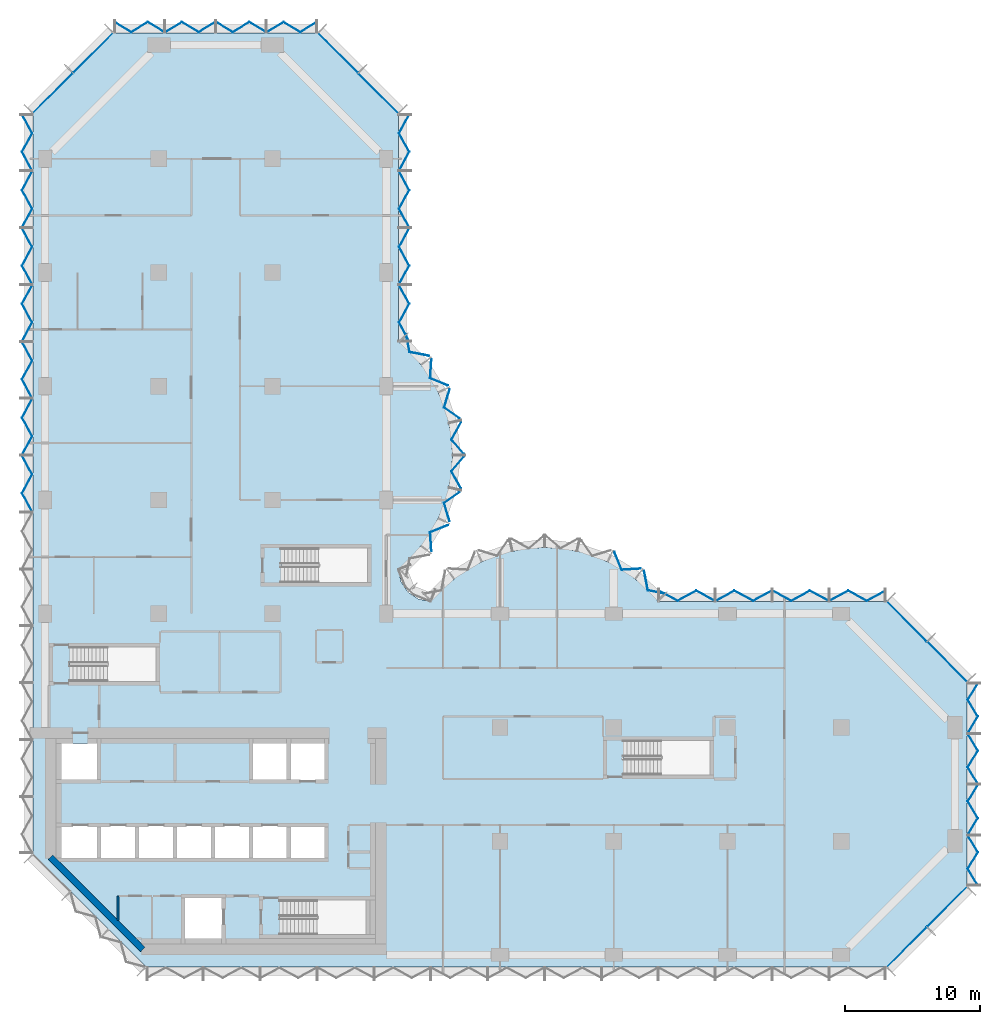
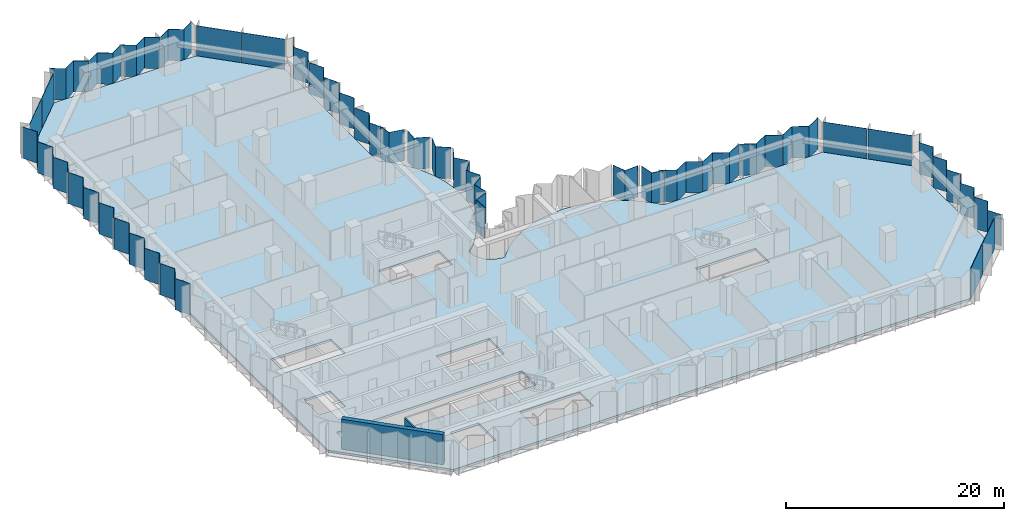
# One storey, part 6 of 13: 40 plates, 2 walls, 1 slab, 11 elements without a shape of their own.
"""IFC4 building model written with IfcOpenShell, lengths in metres."""

from ifc_helpers import new_model, si_unit, direction, frame, frame_2d, origin, place, context, subcontext, project, spatial, polyline, rectangle, outline, extrude, material, layer, layer_set, type_object, element, aggregate, save


model = new_model("IFC4")

# Units and contexts
model_context = context("Model", 3, precision=1e-05, world=origin(), true_north=direction((0.0, 1.0)))
body_context = subcontext(model_context, "Body", "Model", "MODEL_VIEW")
ifc_project = project(units=[si_unit("LENGTHUNIT", "METRE"), si_unit("AREAUNIT", "SQUARE_METRE"), si_unit("VOLUMEUNIT", "CUBIC_METRE"), si_unit("PLANEANGLEUNIT", "RADIAN"), si_unit("MASSUNIT", "GRAM", prefix="KILO")], contexts=[model_context])

# Site, building, storey
site_placement = place(None, origin())
site = spatial("IfcSite", under=ifc_project, at=site_placement, CompositionType="ELEMENT")
building_placement = place(site_placement, origin())
building = spatial("IfcBuilding", under=site, at=building_placement, Name="Brevane Broadcast Tower", CompositionType="ELEMENT")
storey_placement = place(building_placement, frame((0.0, 0.0, 116.89990234375)))
storey = spatial("IfcBuildingStorey", under=building, at=storey_placement, Name="L28", CompositionType="ELEMENT", Elevation=116.89990234375)

# Curtain wall, plates
ifc_material_1 = material(Name="Aluminium 6063-T6 bronze anodised", Category="aluminium")
curtain_wall_type = type_object("IfcCurtainWallType", Name="CW-1 curtain wall", PredefinedType="NOTDEFINED", material=ifc_material_1)
curtain_wall_1_placement = place(storey_placement, origin())
curtain_wall_1 = element("IfcCurtainWall", 1, at=curtain_wall_1_placement, inside=storey, type_object=curtain_wall_type, Name="CW-1 typical tilted unit L28 south-east chamfer", PredefinedType="NOTDEFINED")
ifc_material_2 = material(Name="Laminated glass bronze-tinted", Category="glass")
ifc_layer_1 = layer(ifc_material_2, 0.0400390625)
ifc_layer_set_1 = layer_set([ifc_layer_1], Name="CW tall glass panel 40")
plate_type = type_object("IfcPlateType", Name="CW tall glass panel 40", PredefinedType="CURTAIN_PANEL", material=ifc_layer_set_1)
plate_1_placement = place(storey_placement, frame((0.0, 0.0, -0.14990234375)))
plate_1 = element("IfcPlate", 2, at=plate_1_placement, type_object=plate_type, Name="CW-1 glass panel", PredefinedType="CURTAIN_PANEL", context=body_context, shape_type="SweptSolid", body=[
    extrude(outline(polyline([(62.14599609375, -0.896484375), (65.096435546875, 2.053955078125), (65.124755859375, 2.02587890625), (62.17431640625, -0.9248046875), (62.14599609375, -0.896484375)])), origin(), (0.0, 0.0, 1.0), 3.5),
])
plate_2_placement = place(storey_placement, frame((0.0, 0.0, -0.14990234375)))
plate_2 = element("IfcPlate", 3, at=plate_2_placement, type_object=plate_type, Name="CW-1 glass panel", PredefinedType="CURTAIN_PANEL", context=body_context, shape_type="SweptSolid", body=[
    extrude(outline(polyline([(65.14599609375, 2.103515625), (68.096435546875, 5.053955078125), (68.124755859375, 5.02587890625), (65.17431640625, 2.0751953125), (65.14599609375, 2.103515625)])), origin(), (0.0, 0.0, 1.0), 3.5),
])
aggregate(curtain_wall_1, [plate_1, plate_2])

curtain_wall_2_placement = place(storey_placement, origin())
curtain_wall_2 = element("IfcCurtainWall", 4, at=curtain_wall_2_placement, inside=storey, type_object=curtain_wall_type, Name="CW-1 typical tilted unit L28 east end", PredefinedType="NOTDEFINED")
plate_3_placement = place(storey_placement, frame((0.0, 0.0, -0.14990234375)))
plate_3 = element("IfcPlate", 5, at=plate_3_placement, type_object=plate_type, Name="CW-1 glass panel", PredefinedType="CURTAIN_PANEL", context=body_context, shape_type="SweptSolid", body=[
    extrude(outline(polyline([(68.87109375, 5.135009765625), (68.917724609375, 5.135009765625), (68.17333984375, 6.36181640625), (68.917724609375, 7.58837890625), (68.17333984375, 8.81494140625), (68.126708984375, 8.81494140625), (68.87109375, 7.58837890625), (68.126708984375, 6.36181640625), (68.87109375, 5.135009765625)])), origin(), (0.0, 0.0, 1.0), 3.5),
])
plate_4_placement = place(storey_placement, frame((0.0, 0.0, -0.14990234375)))
plate_4 = element("IfcPlate", 6, at=plate_4_placement, type_object=plate_type, Name="CW-1 glass panel", PredefinedType="CURTAIN_PANEL", context=body_context, shape_type="SweptSolid", body=[
    extrude(outline(polyline([(68.126708984375, 8.885009765625), (68.17333984375, 8.885009765625), (68.917724609375, 10.11181640625), (68.17333984375, 11.33837890625), (68.917724609375, 12.56494140625), (68.87109375, 12.56494140625), (68.126708984375, 11.33837890625), (68.87109375, 10.11181640625), (68.126708984375, 8.885009765625)])), origin(), (0.0, 0.0, 1.0), 3.5),
])
plate_5_placement = place(storey_placement, frame((0.0, 0.0, -0.14990234375)))
plate_5 = element("IfcPlate", 7, at=plate_5_placement, type_object=plate_type, Name="CW-1 glass panel", PredefinedType="CURTAIN_PANEL", context=body_context, shape_type="SweptSolid", body=[
    extrude(outline(polyline([(68.87109375, 12.635009765625), (68.917724609375, 12.635009765625), (68.17333984375, 13.86181640625), (68.917724609375, 15.08837890625), (68.17333984375, 16.31494140625), (68.126708984375, 16.31494140625), (68.87109375, 15.08837890625), (68.126708984375, 13.86181640625), (68.87109375, 12.635009765625)])), origin(), (0.0, 0.0, 1.0), 3.5),
])
plate_6_placement = place(storey_placement, frame((0.0, 0.0, -0.14990234375)))
plate_6 = element("IfcPlate", 8, at=plate_6_placement, type_object=plate_type, Name="CW-1 glass panel", PredefinedType="CURTAIN_PANEL", context=body_context, shape_type="SweptSolid", body=[
    extrude(outline(polyline([(68.126708984375, 16.385009765625), (68.17333984375, 16.385009765625), (68.917724609375, 17.61181640625), (68.17333984375, 18.83837890625), (68.917724609375, 20.06494140625), (68.87109375, 20.06494140625), (68.126708984375, 18.83837890625), (68.87109375, 17.61181640625), (68.126708984375, 16.385009765625)])), origin(), (0.0, 0.0, 1.0), 3.5),
])
aggregate(curtain_wall_2, [plate_3, plate_4, plate_5, plate_6])

curtain_wall_3_placement = place(storey_placement, origin())
curtain_wall_3 = element("IfcCurtainWall", 9, at=curtain_wall_3_placement, inside=storey, type_object=curtain_wall_type, Name="CW-1 typical tilted unit L28 north-east chamfer", PredefinedType="NOTDEFINED")
plate_7_placement = place(storey_placement, frame((0.0, 0.0, -0.14990234375)))
plate_7 = element("IfcPlate", 10, at=plate_7_placement, type_object=plate_type, Name="CW-1 glass panel", PredefinedType="CURTAIN_PANEL", context=body_context, shape_type="SweptSolid", body=[
    extrude(outline(polyline([(68.096435546875, 20.14599609375), (65.14599609375, 23.096435546875), (65.17431640625, 23.124755859375), (68.124755859375, 20.17431640625), (68.096435546875, 20.14599609375)])), origin(), (0.0, 0.0, 1.0), 3.5),
])
plate_8_placement = place(storey_placement, frame((0.0, 0.0, -0.14990234375)))
plate_8 = element("IfcPlate", 11, at=plate_8_placement, type_object=plate_type, Name="CW-1 glass panel", PredefinedType="CURTAIN_PANEL", context=body_context, shape_type="SweptSolid", body=[
    extrude(outline(polyline([(65.096435546875, 23.14599609375), (62.14599609375, 26.096435546875), (62.17431640625, 26.124755859375), (65.124755859375, 23.17431640625), (65.096435546875, 23.14599609375)])), origin(), (0.0, 0.0, 1.0), 3.5),
])
aggregate(curtain_wall_3, [plate_7, plate_8])

curtain_wall_4_placement = place(storey_placement, origin())
curtain_wall_4 = element("IfcCurtainWall", 12, at=curtain_wall_4_placement, inside=storey, type_object=curtain_wall_type, Name="CW-1 typical tilted unit L28 east arm north face", PredefinedType="NOTDEFINED")
plate_9_placement = place(storey_placement, frame((0.0, 0.0, -0.14990234375)))
plate_9 = element("IfcPlate", 13, at=plate_9_placement, type_object=plate_type, Name="CW-1 glass panel", PredefinedType="CURTAIN_PANEL", context=body_context, shape_type="SweptSolid", body=[
    extrude(outline(polyline([(62.06494140625, 26.87158203125), (62.06494140625, 26.9169921875), (60.688232421875, 26.172607421875), (59.311767578125, 26.9169921875), (57.93505859375, 26.172607421875), (57.93505859375, 26.127197265625), (59.311767578125, 26.87158203125), (60.688232421875, 26.127197265625), (62.06494140625, 26.87158203125)])), origin(), (0.0, 0.0, 1.0), 3.5),
])
plate_10_placement = place(storey_placement, frame((0.0, 0.0, -0.14990234375)))
plate_10 = element("IfcPlate", 14, at=plate_10_placement, type_object=plate_type, Name="CW-1 glass panel", PredefinedType="CURTAIN_PANEL", context=body_context, shape_type="SweptSolid", body=[
    extrude(outline(polyline([(57.864990234375, 26.127197265625), (57.864990234375, 26.172607421875), (56.48828125, 26.9169921875), (55.11181640625, 26.172607421875), (53.735107421875, 26.9169921875), (53.735107421875, 26.87158203125), (55.11181640625, 26.127197265625), (56.48828125, 26.87158203125), (57.864990234375, 26.127197265625)])), origin(), (0.0, 0.0, 1.0), 3.5),
])
plate_11_placement = place(storey_placement, frame((0.0, 0.0, -0.14990234375)))
plate_11 = element("IfcPlate", 15, at=plate_11_placement, type_object=plate_type, Name="CW-1 glass panel", PredefinedType="CURTAIN_PANEL", context=body_context, shape_type="SweptSolid", body=[
    extrude(outline(polyline([(53.6650390625, 26.87158203125), (53.6650390625, 26.9169921875), (52.288330078125, 26.172607421875), (50.91162109375, 26.9169921875), (49.534912109375, 26.172607421875), (49.534912109375, 26.127197265625), (50.91162109375, 26.87158203125), (52.288330078125, 26.127197265625), (53.6650390625, 26.87158203125)])), origin(), (0.0, 0.0, 1.0), 3.5),
])
plate_12_placement = place(storey_placement, frame((0.0, 0.0, -0.14990234375)))
plate_12 = element("IfcPlate", 16, at=plate_12_placement, type_object=plate_type, Name="CW-1 glass panel", PredefinedType="CURTAIN_PANEL", context=body_context, shape_type="SweptSolid", body=[
    extrude(outline(polyline([(49.465087890625, 26.127197265625), (49.465087890625, 26.172607421875), (48.08837890625, 26.9169921875), (46.711669921875, 26.172607421875), (45.3349609375, 26.9169921875), (45.3349609375, 26.87158203125), (46.711669921875, 26.127197265625), (48.08837890625, 26.87158203125), (49.465087890625, 26.127197265625)])), origin(), (0.0, 0.0, 1.0), 3.5),
])
aggregate(curtain_wall_4, [plate_9, plate_10, plate_11, plate_12])

curtain_wall_5_placement = place(storey_placement, origin())
curtain_wall_5 = element("IfcCurtainWall", 17, at=curtain_wall_5_placement, inside=storey, type_object=curtain_wall_type, Name="CW-1 typical tilted unit L28 east bow", PredefinedType="NOTDEFINED")
plate_13_placement = place(storey_placement, frame((0.0, 0.0, -0.14990234375)))
plate_13 = element("IfcPlate", 18, at=plate_13_placement, type_object=plate_type, Name="CW-1 glass panel", PredefinedType="CURTAIN_PANEL", context=body_context, shape_type="SweptSolid", body=[
    extrude(outline(polyline([(45.79150390625, 26.656005859375), (45.82470703125, 26.690185546875), (44.539306640625, 26.9423828125), (44.263916015625, 28.3857421875), (44.231201171875, 28.34375), (44.5048828125, 26.908203125), (45.79150390625, 26.656005859375)])), origin(), (0.0, 0.0, 1.0), 3.5),
])
plate_14_placement = place(storey_placement, frame((0.0, 0.0, -0.14990234375)))
plate_14 = element("IfcPlate", 19, at=plate_14_placement, type_object=plate_type, Name="CW-1 glass panel", PredefinedType="CURTAIN_PANEL", context=body_context, shape_type="SweptSolid", body=[
    extrude(outline(polyline([(43.950439453125, 28.5087890625), (43.9833984375, 28.551025390625), (42.601318359375, 28.462890625), (42.0703125, 29.76171875), (42.046875, 29.712890625), (42.5751953125, 28.42138671875), (43.950439453125, 28.5087890625)])), origin(), (0.0, 0.0, 1.0), 3.5),
])
aggregate(curtain_wall_5, [plate_13, plate_14])

curtain_wall_6_placement = place(storey_placement, origin())
curtain_wall_6 = element("IfcCurtainWall", 20, at=curtain_wall_6_placement, inside=storey, type_object=curtain_wall_type, Name="CW-1 typical tilted unit L28 north bow", PredefinedType="NOTDEFINED")
plate_15_placement = place(storey_placement, frame((0.0, 0.0, -0.14990234375)))
plate_15 = element("IfcPlate", 21, at=plate_15_placement, type_object=plate_type, Name="CW-1 glass panel", PredefinedType="CURTAIN_PANEL", context=body_context, shape_type="SweptSolid", body=[
    extrude(outline(polyline([(28.5087890625, 29.849609375), (28.551025390625, 29.816650390625), (28.462890625, 31.198486328125), (29.76171875, 31.729736328125), (29.712890625, 31.753173828125), (28.42138671875, 31.224609375), (28.5087890625, 29.849609375)])), origin(), (0.0, 0.0, 1.0), 3.5),
])
plate_16_placement = place(storey_placement, frame((0.0, 0.0, -0.14990234375)))
plate_16 = element("IfcPlate", 22, at=plate_16_placement, type_object=plate_type, Name="CW-1 glass panel", PredefinedType="CURTAIN_PANEL", context=body_context, shape_type="SweptSolid", body=[
    extrude(outline(polyline([(29.851806640625, 32.044677734375), (29.900634765625, 32.021484375), (29.494384765625, 33.364501953125), (30.622802734375, 34.167236328125), (30.57080078125, 34.17919921875), (29.44775390625, 33.380615234375), (29.851806640625, 32.044677734375)])), origin(), (0.0, 0.0, 1.0), 3.5),
])
plate_17_placement = place(storey_placement, frame((0.0, 0.0, -0.14990234375)))
plate_17 = element("IfcPlate", 23, at=plate_17_placement, type_object=plate_type, Name="CW-1 glass panel", PredefinedType="CURTAIN_PANEL", context=body_context, shape_type="SweptSolid", body=[
    extrude(outline(polyline([(30.68798828125, 34.483642578125), (30.740478515625, 34.4716796875), (30.036376953125, 35.730224609375), (30.94921875, 36.7919921875), (30.896484375, 36.7919921875), (29.98779296875, 35.735107421875), (30.68798828125, 34.483642578125)])), origin(), (0.0, 0.0, 1.0), 3.5),
])
plate_18_placement = place(storey_placement, frame((0.0, 0.0, -0.14990234375)))
plate_18 = element("IfcPlate", 24, at=plate_18_placement, type_object=plate_type, Name="CW-1 glass panel", PredefinedType="CURTAIN_PANEL", context=body_context, shape_type="SweptSolid", body=[
    extrude(outline(polyline([(30.896484375, 37.008056640625), (30.94921875, 37.008056640625), (30.036376953125, 38.069580078125), (30.740478515625, 39.328369140625), (30.68798828125, 39.31640625), (29.98779296875, 38.064697265625), (30.896484375, 37.008056640625)])), origin(), (0.0, 0.0, 1.0), 3.5),
])
plate_19_placement = place(storey_placement, frame((0.0, 0.0, -0.14990234375)))
plate_19 = element("IfcPlate", 25, at=plate_19_placement, type_object=plate_type, Name="CW-1 glass panel", PredefinedType="CURTAIN_PANEL", context=body_context, shape_type="SweptSolid", body=[
    extrude(outline(polyline([(30.57080078125, 39.62060546875), (30.622802734375, 39.6328125), (29.494384765625, 40.435546875), (29.900634765625, 41.778564453125), (29.851806640625, 41.75537109375), (29.44775390625, 40.41943359375), (30.57080078125, 39.62060546875)])), origin(), (0.0, 0.0, 1.0), 3.5),
])
plate_20_placement = place(storey_placement, frame((0.0, 0.0, -0.14990234375)))
plate_20 = element("IfcPlate", 26, at=plate_20_placement, type_object=plate_type, Name="CW-1 glass panel", PredefinedType="CURTAIN_PANEL", context=body_context, shape_type="SweptSolid", body=[
    extrude(outline(polyline([(29.712890625, 42.046875), (29.76171875, 42.0703125), (28.462890625, 42.601318359375), (28.551025390625, 43.9833984375), (28.5087890625, 43.950439453125), (28.42138671875, 42.5751953125), (29.712890625, 42.046875)])), origin(), (0.0, 0.0, 1.0), 3.5),
])
plate_21_placement = place(storey_placement, frame((0.0, 0.0, -0.14990234375)))
plate_21 = element("IfcPlate", 27, at=plate_21_placement, type_object=plate_type, Name="CW-1 glass panel", PredefinedType="CURTAIN_PANEL", context=body_context, shape_type="SweptSolid", body=[
    extrude(outline(polyline([(28.34375, 44.231201171875), (28.3857421875, 44.263916015625), (26.9423828125, 44.539306640625), (26.690185546875, 45.82470703125), (26.656005859375, 45.79150390625), (26.908203125, 44.5048828125), (28.34375, 44.231201171875)])), origin(), (0.0, 0.0, 1.0), 3.5),
])
aggregate(curtain_wall_6, [plate_15, plate_16, plate_17, plate_18, plate_19, plate_20, plate_21])

curtain_wall_7_placement = place(storey_placement, origin())
curtain_wall_7 = element("IfcCurtainWall", 28, at=curtain_wall_7_placement, inside=storey, type_object=curtain_wall_type, Name="CW-1 typical tilted unit L28 north arm east face", PredefinedType="NOTDEFINED")
plate_22_placement = place(storey_placement, frame((0.0, 0.0, -0.14990234375)))
plate_22 = element("IfcPlate", 29, at=plate_22_placement, type_object=plate_type, Name="CW-1 glass panel", PredefinedType="CURTAIN_PANEL", context=body_context, shape_type="SweptSolid", body=[
    extrude(outline(polyline([(26.87158203125, 45.3349609375), (26.9169921875, 45.3349609375), (26.172607421875, 46.711669921875), (26.9169921875, 48.08837890625), (26.172607421875, 49.465087890625), (26.127197265625, 49.465087890625), (26.87158203125, 48.08837890625), (26.127197265625, 46.711669921875), (26.87158203125, 45.3349609375)])), origin(), (0.0, 0.0, 1.0), 3.5),
])
plate_23_placement = place(storey_placement, frame((0.0, 0.0, -0.14990234375)))
plate_23 = element("IfcPlate", 30, at=plate_23_placement, type_object=plate_type, Name="CW-1 glass panel", PredefinedType="CURTAIN_PANEL", context=body_context, shape_type="SweptSolid", body=[
    extrude(outline(polyline([(26.127197265625, 49.534912109375), (26.172607421875, 49.534912109375), (26.9169921875, 50.91162109375), (26.172607421875, 52.288330078125), (26.9169921875, 53.6650390625), (26.87158203125, 53.6650390625), (26.127197265625, 52.288330078125), (26.87158203125, 50.91162109375), (26.127197265625, 49.534912109375)])), origin(), (0.0, 0.0, 1.0), 3.5),
])
plate_24_placement = place(storey_placement, frame((0.0, 0.0, -0.14990234375)))
plate_24 = element("IfcPlate", 31, at=plate_24_placement, type_object=plate_type, Name="CW-1 glass panel", PredefinedType="CURTAIN_PANEL", context=body_context, shape_type="SweptSolid", body=[
    extrude(outline(polyline([(26.87158203125, 53.735107421875), (26.9169921875, 53.735107421875), (26.172607421875, 55.11181640625), (26.9169921875, 56.48828125), (26.172607421875, 57.864990234375), (26.127197265625, 57.864990234375), (26.87158203125, 56.48828125), (26.127197265625, 55.11181640625), (26.87158203125, 53.735107421875)])), origin(), (0.0, 0.0, 1.0), 3.5),
])
plate_25_placement = place(storey_placement, frame((0.0, 0.0, -0.14990234375)))
plate_25 = element("IfcPlate", 32, at=plate_25_placement, type_object=plate_type, Name="CW-1 glass panel", PredefinedType="CURTAIN_PANEL", context=body_context, shape_type="SweptSolid", body=[
    extrude(outline(polyline([(26.127197265625, 57.93505859375), (26.172607421875, 57.93505859375), (26.9169921875, 59.311767578125), (26.172607421875, 60.688232421875), (26.9169921875, 62.06494140625), (26.87158203125, 62.06494140625), (26.127197265625, 60.688232421875), (26.87158203125, 59.311767578125), (26.127197265625, 57.93505859375)])), origin(), (0.0, 0.0, 1.0), 3.5),
])
aggregate(curtain_wall_7, [plate_22, plate_23, plate_24, plate_25])

curtain_wall_8_placement = place(storey_placement, origin())
curtain_wall_8 = element("IfcCurtainWall", 33, at=curtain_wall_8_placement, inside=storey, type_object=curtain_wall_type, Name="CW-1 typical tilted unit L28 north arm north-east chamfer", PredefinedType="NOTDEFINED")
plate_26_placement = place(storey_placement, frame((0.0, 0.0, -0.14990234375)))
plate_26 = element("IfcPlate", 34, at=plate_26_placement, type_object=plate_type, Name="CW-1 glass panel", PredefinedType="CURTAIN_PANEL", context=body_context, shape_type="SweptSolid", body=[
    extrude(outline(polyline([(26.096435546875, 62.14599609375), (23.14599609375, 65.096435546875), (23.17431640625, 65.124755859375), (26.124755859375, 62.17431640625), (26.096435546875, 62.14599609375)])), origin(), (0.0, 0.0, 1.0), 3.5),
])
plate_27_placement = place(storey_placement, frame((0.0, 0.0, -0.14990234375)))
plate_27 = element("IfcPlate", 35, at=plate_27_placement, type_object=plate_type, Name="CW-1 glass panel", PredefinedType="CURTAIN_PANEL", context=body_context, shape_type="SweptSolid", body=[
    extrude(outline(polyline([(23.096435546875, 65.14599609375), (20.14599609375, 68.096435546875), (20.17431640625, 68.124755859375), (23.124755859375, 65.17431640625), (23.096435546875, 65.14599609375)])), origin(), (0.0, 0.0, 1.0), 3.5),
])
aggregate(curtain_wall_8, [plate_26, plate_27])

curtain_wall_9_placement = place(storey_placement, origin())
curtain_wall_9 = element("IfcCurtainWall", 36, at=curtain_wall_9_placement, inside=storey, type_object=curtain_wall_type, Name="CW-1 typical tilted unit L28 north end", PredefinedType="NOTDEFINED")
plate_28_placement = place(storey_placement, frame((0.0, 0.0, -0.14990234375)))
plate_28 = element("IfcPlate", 37, at=plate_28_placement, type_object=plate_type, Name="CW-1 glass panel", PredefinedType="CURTAIN_PANEL", context=body_context, shape_type="SweptSolid", body=[
    extrude(outline(polyline([(20.06494140625, 68.87109375), (20.06494140625, 68.917724609375), (18.83837890625, 68.17333984375), (17.61181640625, 68.917724609375), (16.385009765625, 68.17333984375), (16.385009765625, 68.126708984375), (17.61181640625, 68.87109375), (18.83837890625, 68.126708984375), (20.06494140625, 68.87109375)])), origin(), (0.0, 0.0, 1.0), 3.5),
])
plate_29_placement = place(storey_placement, frame((0.0, 0.0, -0.14990234375)))
plate_29 = element("IfcPlate", 38, at=plate_29_placement, type_object=plate_type, Name="CW-1 glass panel", PredefinedType="CURTAIN_PANEL", context=body_context, shape_type="SweptSolid", body=[
    extrude(outline(polyline([(16.31494140625, 68.126708984375), (16.31494140625, 68.17333984375), (15.08837890625, 68.917724609375), (13.86181640625, 68.17333984375), (12.635009765625, 68.917724609375), (12.635009765625, 68.87109375), (13.86181640625, 68.126708984375), (15.08837890625, 68.87109375), (16.31494140625, 68.126708984375)])), origin(), (0.0, 0.0, 1.0), 3.5),
])
plate_30_placement = place(storey_placement, frame((0.0, 0.0, -0.14990234375)))
plate_30 = element("IfcPlate", 39, at=plate_30_placement, type_object=plate_type, Name="CW-1 glass panel", PredefinedType="CURTAIN_PANEL", context=body_context, shape_type="SweptSolid", body=[
    extrude(outline(polyline([(12.56494140625, 68.87109375), (12.56494140625, 68.917724609375), (11.33837890625, 68.17333984375), (10.11181640625, 68.917724609375), (8.885009765625, 68.17333984375), (8.885009765625, 68.126708984375), (10.11181640625, 68.87109375), (11.33837890625, 68.126708984375), (12.56494140625, 68.87109375)])), origin(), (0.0, 0.0, 1.0), 3.5),
])
plate_31_placement = place(storey_placement, frame((0.0, 0.0, -0.14990234375)))
plate_31 = element("IfcPlate", 40, at=plate_31_placement, type_object=plate_type, Name="CW-1 glass panel", PredefinedType="CURTAIN_PANEL", context=body_context, shape_type="SweptSolid", body=[
    extrude(outline(polyline([(8.81494140625, 68.126708984375), (8.81494140625, 68.17333984375), (7.58837890625, 68.917724609375), (6.36181640625, 68.17333984375), (5.135009765625, 68.917724609375), (5.135009765625, 68.87109375), (6.36181640625, 68.126708984375), (7.58837890625, 68.87109375), (8.81494140625, 68.126708984375)])), origin(), (0.0, 0.0, 1.0), 3.5),
])
aggregate(curtain_wall_9, [plate_28, plate_29, plate_30, plate_31])

curtain_wall_10_placement = place(storey_placement, origin())
curtain_wall_10 = element("IfcCurtainWall", 41, at=curtain_wall_10_placement, inside=storey, type_object=curtain_wall_type, Name="CW-1 typical tilted unit L28 north-west chamfer", PredefinedType="NOTDEFINED")
plate_32_placement = place(storey_placement, frame((0.0, 0.0, -0.14990234375)))
plate_32 = element("IfcPlate", 42, at=plate_32_placement, type_object=plate_type, Name="CW-1 glass panel", PredefinedType="CURTAIN_PANEL", context=body_context, shape_type="SweptSolid", body=[
    extrude(outline(polyline([(5.053955078125, 68.096435546875), (2.103515625, 65.14599609375), (2.0751953125, 65.17431640625), (5.02587890625, 68.124755859375), (5.053955078125, 68.096435546875)])), origin(), (0.0, 0.0, 1.0), 3.5),
])
plate_33_placement = place(storey_placement, frame((0.0, 0.0, -0.14990234375)))
plate_33 = element("IfcPlate", 43, at=plate_33_placement, type_object=plate_type, Name="CW-1 glass panel", PredefinedType="CURTAIN_PANEL", context=body_context, shape_type="SweptSolid", body=[
    extrude(outline(polyline([(2.053955078125, 65.096435546875), (-0.896484375, 62.14599609375), (-0.9248046875, 62.17431640625), (2.02587890625, 65.124755859375), (2.053955078125, 65.096435546875)])), origin(), (0.0, 0.0, 1.0), 3.5),
])
aggregate(curtain_wall_10, [plate_32, plate_33])

curtain_wall_11_placement = place(storey_placement, origin())
curtain_wall_11 = element("IfcCurtainWall", 44, at=curtain_wall_11_placement, inside=storey, type_object=curtain_wall_type, Name="CW-1 typical tilted unit L28 west face", PredefinedType="NOTDEFINED")
plate_34_placement = place(storey_placement, frame((0.0, 0.0, -0.14990234375)))
plate_34 = element("IfcPlate", 45, at=plate_34_placement, type_object=plate_type, Name="CW-1 glass panel", PredefinedType="CURTAIN_PANEL", context=body_context, shape_type="SweptSolid", body=[
    extrude(outline(polyline([(-1.671630859375, 62.06494140625), (-1.717041015625, 62.06494140625), (-0.97265625, 60.688232421875), (-1.717041015625, 59.311767578125), (-0.97265625, 57.93505859375), (-0.92724609375, 57.93505859375), (-1.671630859375, 59.311767578125), (-0.92724609375, 60.688232421875), (-1.671630859375, 62.06494140625)])), origin(), (0.0, 0.0, 1.0), 3.5),
])
plate_35_placement = place(storey_placement, frame((0.0, 0.0, -0.14990234375)))
plate_35 = element("IfcPlate", 46, at=plate_35_placement, type_object=plate_type, Name="CW-1 glass panel", PredefinedType="CURTAIN_PANEL", context=body_context, shape_type="SweptSolid", body=[
    extrude(outline(polyline([(-0.92724609375, 57.864990234375), (-0.97265625, 57.864990234375), (-1.717041015625, 56.48828125), (-0.97265625, 55.11181640625), (-1.717041015625, 53.735107421875), (-1.671630859375, 53.735107421875), (-0.92724609375, 55.11181640625), (-1.671630859375, 56.48828125), (-0.92724609375, 57.864990234375)])), origin(), (0.0, 0.0, 1.0), 3.5),
])
plate_36_placement = place(storey_placement, frame((0.0, 0.0, -0.14990234375)))
plate_36 = element("IfcPlate", 47, at=plate_36_placement, type_object=plate_type, Name="CW-1 glass panel", PredefinedType="CURTAIN_PANEL", context=body_context, shape_type="SweptSolid", body=[
    extrude(outline(polyline([(-1.671630859375, 53.6650390625), (-1.717041015625, 53.6650390625), (-0.97265625, 52.288330078125), (-1.717041015625, 50.91162109375), (-0.97265625, 49.534912109375), (-0.92724609375, 49.534912109375), (-1.671630859375, 50.91162109375), (-0.92724609375, 52.288330078125), (-1.671630859375, 53.6650390625)])), origin(), (0.0, 0.0, 1.0), 3.5),
])
plate_37_placement = place(storey_placement, frame((0.0, 0.0, -0.14990234375)))
plate_37 = element("IfcPlate", 48, at=plate_37_placement, type_object=plate_type, Name="CW-1 glass panel", PredefinedType="CURTAIN_PANEL", context=body_context, shape_type="SweptSolid", body=[
    extrude(outline(polyline([(-0.92724609375, 49.465087890625), (-0.97265625, 49.465087890625), (-1.717041015625, 48.08837890625), (-0.97265625, 46.711669921875), (-1.717041015625, 45.3349609375), (-1.671630859375, 45.3349609375), (-0.92724609375, 46.711669921875), (-1.671630859375, 48.08837890625), (-0.92724609375, 49.465087890625)])), origin(), (0.0, 0.0, 1.0), 3.5),
])
plate_38_placement = place(storey_placement, frame((0.0, 0.0, -0.14990234375)))
plate_38 = element("IfcPlate", 49, at=plate_38_placement, type_object=plate_type, Name="CW-1 glass panel", PredefinedType="CURTAIN_PANEL", context=body_context, shape_type="SweptSolid", body=[
    extrude(outline(polyline([(-1.671630859375, 45.264892578125), (-1.717041015625, 45.264892578125), (-0.97265625, 43.88818359375), (-1.717041015625, 42.51171875), (-0.97265625, 41.135009765625), (-0.92724609375, 41.135009765625), (-1.671630859375, 42.51171875), (-0.92724609375, 43.88818359375), (-1.671630859375, 45.264892578125)])), origin(), (0.0, 0.0, 1.0), 3.5),
])
plate_39_placement = place(storey_placement, frame((0.0, 0.0, -0.14990234375)))
plate_39 = element("IfcPlate", 50, at=plate_39_placement, type_object=plate_type, Name="CW-1 glass panel", PredefinedType="CURTAIN_PANEL", context=body_context, shape_type="SweptSolid", body=[
    extrude(outline(polyline([(-0.92724609375, 41.06494140625), (-0.97265625, 41.06494140625), (-1.717041015625, 39.688232421875), (-0.97265625, 38.311767578125), (-1.717041015625, 36.93505859375), (-1.671630859375, 36.93505859375), (-0.92724609375, 38.311767578125), (-1.671630859375, 39.688232421875), (-0.92724609375, 41.06494140625)])), origin(), (0.0, 0.0, 1.0), 3.5),
])
plate_40_placement = place(storey_placement, frame((0.0, 0.0, -0.14990234375)))
plate_40 = element("IfcPlate", 51, at=plate_40_placement, type_object=plate_type, Name="CW-1 glass panel", PredefinedType="CURTAIN_PANEL", context=body_context, shape_type="SweptSolid", body=[
    extrude(outline(polyline([(-1.671630859375, 36.864990234375), (-1.717041015625, 36.864990234375), (-0.97265625, 35.48828125), (-1.717041015625, 34.11181640625), (-0.97265625, 32.735107421875), (-0.92724609375, 32.735107421875), (-1.671630859375, 34.11181640625), (-0.92724609375, 35.48828125), (-1.671630859375, 36.864990234375)])), origin(), (0.0, 0.0, 1.0), 3.5),
])
aggregate(curtain_wall_11, [plate_34, plate_35, plate_36, plate_37, plate_38, plate_39, plate_40])

# Slab
ifc_material_3 = material(Name="Concrete C40/50", Category="concrete")
ifc_layer_2 = layer(ifc_material_3, 0.25)
ifc_layer_set_2 = layer_set([ifc_layer_2], Name="RC FLOOR SLAB 250 C40/50")
slab_type = type_object("IfcSlabType", Name="RC FLOOR SLAB 250 C40/50", PredefinedType="FLOOR", material=ifc_layer_set_2)
slab_placement = place(storey_placement, frame((0.0, 0.0, -0.25)))
element("IfcSlab", 52, at=slab_placement, inside=storey, type_object=slab_type, Name="SL250 L28", PredefinedType="FLOOR", context=body_context, shape_type="SweptSolid", body=[
    extrude(outline(polyline([(-0.89990234375, 7.5), (-0.89990234375, 62.10009765625), (5.10009765625, 68.10009765625), (20.10009765625, 68.10009765625), (26.10009765625, 62.10009765625), (26.10009765625, 45.300048828125), (27.10888671875, 44.36865234375), (27.99169921875, 43.317138671875), (28.734130859375, 42.162353515625), (29.324462890625, 40.922607421875), (29.7529296875, 39.618408203125), (30.012939453125, 38.270263671875), (30.10009765625, 36.89990234375), (30.012939453125, 35.52978515625), (29.7529296875, 34.181640625), (29.324462890625, 32.877197265625), (28.734130859375, 31.6376953125), (27.99169921875, 30.48291015625), (27.10888671875, 29.431396484375), (26.10009765625, 28.5), (26.28271484375, 27.58154296875), (26.802978515625, 26.802978515625), (27.58154296875, 26.28271484375), (28.5, 26.10009765625), (29.431396484375, 27.10888671875), (30.48291015625, 27.99169921875), (31.6376953125, 28.734130859375), (32.877197265625, 29.324462890625), (34.181640625, 29.7529296875), (35.52978515625, 30.012939453125), (36.89990234375, 30.10009765625), (38.270263671875, 30.012939453125), (39.618408203125, 29.7529296875), (40.922607421875, 29.324462890625), (42.162353515625, 28.734130859375), (43.317138671875, 27.99169921875), (44.36865234375, 27.10888671875), (45.300048828125, 26.10009765625), (62.10009765625, 26.10009765625), (68.10009765625, 20.10009765625), (68.10009765625, 5.10009765625), (62.10009765625, -0.89990234375), (7.5, -0.89990234375), (-0.89990234375, 7.5)]), holes=[polyline([(13.199951171875, 4.39990234375), (10.199951171875, 4.39990234375), (10.199951171875, 1.199951171875), (13.199951171875, 1.199951171875), (13.199951171875, 4.39990234375)]), polyline([(4.0, 9.60009765625), (1.199951171875, 9.60009765625), (1.199951171875, 7.0), (4.0, 7.0), (6.800048828125, 7.0), (9.60009765625, 7.0), (12.39990234375, 7.0), (15.199951171875, 7.0), (18.0, 7.0), (20.800048828125, 7.0), (20.800048828125, 9.60009765625), (18.0, 9.60009765625), (15.199951171875, 9.60009765625), (12.39990234375, 9.60009765625), (9.60009765625, 9.60009765625), (6.800048828125, 9.60009765625), (4.0, 9.60009765625)]), polyline([(4.0, 12.800048828125), (4.0, 15.60009765625), (1.199951171875, 15.60009765625), (1.199951171875, 12.800048828125), (4.0, 12.800048828125)]), polyline([(8.199951171875, 22.75), (1.860107421875, 22.75), (1.860107421875, 20.199951171875), (8.199951171875, 20.199951171875), (8.199951171875, 22.75)]), polyline([(23.699951171875, 4.050048828125), (17.360107421875, 4.050048828125), (17.360107421875, 1.5), (23.699951171875, 1.5), (23.699951171875, 4.050048828125)]), polyline([(18.0, 15.60009765625), (15.199951171875, 15.60009765625), (15.199951171875, 12.800048828125), (18.0, 12.800048828125), (20.800048828125, 12.800048828125), (20.800048828125, 15.60009765625), (18.0, 15.60009765625)]), polyline([(49.10009765625, 15.85009765625), (42.760009765625, 15.85009765625), (42.760009765625, 13.300048828125), (49.10009765625, 13.300048828125), (49.10009765625, 15.85009765625)]), polyline([(23.800048828125, 30.050048828125), (17.4599609375, 30.050048828125), (17.4599609375, 27.5), (23.800048828125, 27.5), (23.800048828125, 30.050048828125)])]), origin(), (0.0, 0.0, 1.0), 0.25),
])

# Walls
ifc_material_4 = material(Name="Gypsum board on steel studs", Category="steel")
ifc_layer_3 = layer(ifc_material_4, 0.14990234375)
ifc_layer_set_3 = layer_set([ifc_layer_3], Name="Core fire partition 150 mm")
wall_type_1 = type_object("IfcWallType", Name="Core fire partition 150 mm", PredefinedType="PARTITIONING", material=ifc_layer_set_3)
wall_1_placement = place(storey_placement, frame((5.39990234375, 2.553466796875, 0.0), z_axis=(0.0, 0.0, 1.0), x_axis=(0.0, 1.0, 0.0)))
element("IfcWall", 53, at=wall_1_placement, inside=storey, type_object=wall_type_1, Name="L28 partition wall P10", PredefinedType="PARTITIONING", context=body_context, shape_type="SweptSolid", body=[
    extrude(rectangle(XDim=1.796630859375, YDim=0.14990234375, at=frame_2d((0.8984375, 0.0))), origin(), (0.0, 0.0, 1.0), 3.35009765625),
])
ifc_material_5 = material(Name="Concrete C60/75", Category="concrete")
ifc_layer_4 = layer(ifc_material_5, 0.449951171875)
ifc_layer_set_4 = layer_set([ifc_layer_4], Name="Core wall 450 mm C60/75")
wall_type_2 = type_object("IfcWallType", Name="Core wall 450 mm C60/75", PredefinedType="SHEAR", material=ifc_layer_set_4)
wall_2_placement = place(storey_placement, frame((0.39990234375, 7.21826171875, 0.0), z_axis=(0.0, 0.0, 1.0), x_axis=(0.707106781187, -0.707106781187, 0.0)))
element("IfcWall", 54, at=wall_2_placement, inside=storey, type_object=wall_type_2, Name="L28 outer wall WC", PredefinedType="SHEAR", context=body_context, shape_type="SweptSolid", body=[
    extrude(rectangle(XDim=9.642578125, YDim=0.449951171875, at=frame_2d((4.8212890625, 0.0))), origin(), (0.0, 0.0, 1.0), 3.35009765625),
])

save(model, "model.ifc")
